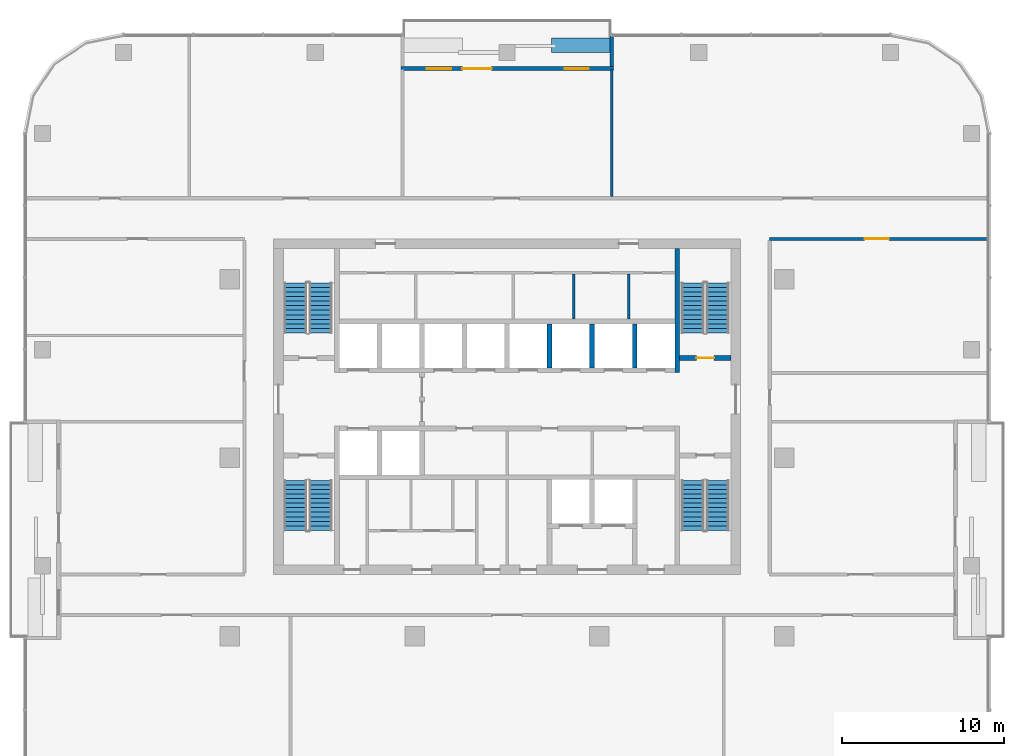
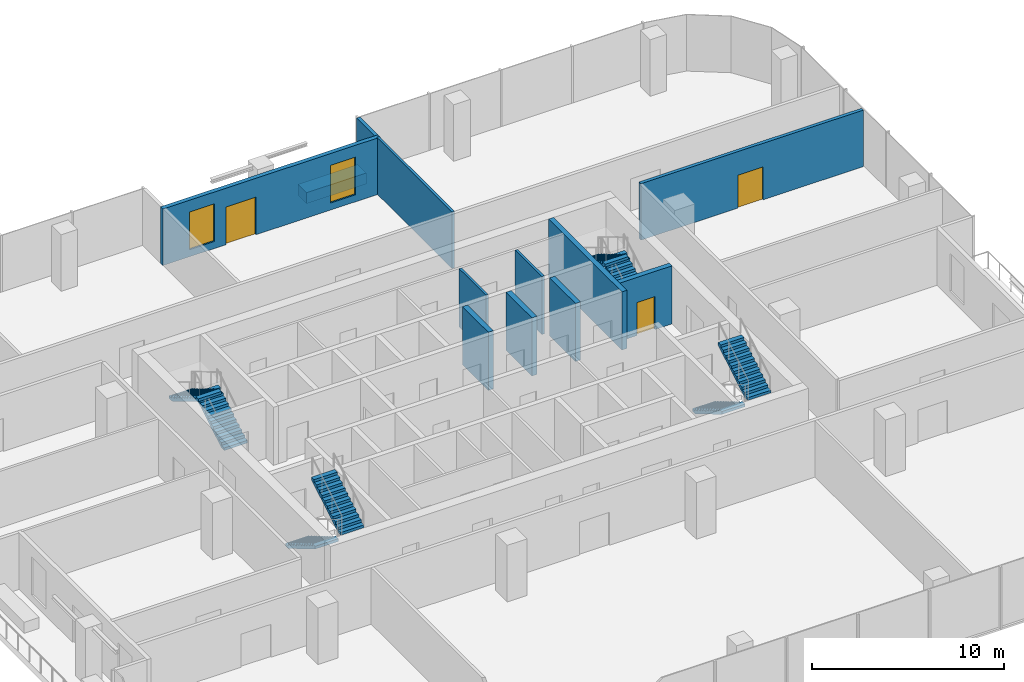
# One storey, part 10 of 13: 12 walls, 8 stair flights, 3 doors, 2 windows, 5 openings, 4 elements without a shape of their own.
"""IFC4 building model written with IfcOpenShell, lengths in metres."""

from ifc_helpers import new_model, si_unit, direction, frame, frame_2d, origin, place, context, subcontext, project, spatial, polyline, rectangle, outline, extrude, material, layer, layer_set, type_object, element, fill, aggregate, save


model = new_model("IFC4")

# Units and contexts
model_context = context("Model", 3, precision=1e-05, world=origin(), true_north=direction((0.0, 1.0)))
body_context = subcontext(model_context, "Body", "Model", "MODEL_VIEW")
ifc_project = project(units=[si_unit("LENGTHUNIT", "METRE"), si_unit("AREAUNIT", "SQUARE_METRE"), si_unit("VOLUMEUNIT", "CUBIC_METRE"), si_unit("PLANEANGLEUNIT", "RADIAN"), si_unit("MASSUNIT", "GRAM", prefix="KILO")], contexts=[model_context])

# Site, building, storey
site_placement = place(None, origin())
site = spatial("IfcSite", under=ifc_project, at=site_placement, CompositionType="ELEMENT")
building_placement = place(site_placement, origin())
building = spatial("IfcBuilding", under=site, at=building_placement, Name="Mopane Tessera Tower", CompositionType="ELEMENT")
storey_placement = place(building_placement, frame((0.0, 0.0, 271.39990234375)))
storey = spatial("IfcBuildingStorey", under=building, at=storey_placement, Name="L58", CompositionType="ELEMENT", Elevation=271.39990234375)

# Walls
ifc_material_1 = material(Name="Fire-rated gypsum board partition")
ifc_layer_1 = layer(ifc_material_1, 0.14990234375)
ifc_layer_set_1 = layer_set([ifc_layer_1], Name="Fire-rated gypsum board partition")
wall_type_1 = type_object("IfcWallType", Name="Core room partition 150 mm", PredefinedType="PARTITIONING", material=ifc_layer_set_1)
for number, where, z_axis, x_axis, name in (
    (1, (4.125, 8.550048828125, 0.0), (0.0, 0.0, 1.0), (0.0, 1.0, 0.0), "L58 Room partition"),
    (2, (7.5, 8.550048828125, 0.0), (0.0, 0.0, 1.0), (0.0, 1.0, 0.0), "L58 Room partition"),
):
    element("IfcWall", number, at=place(storey_placement, frame(where, z_axis=z_axis, x_axis=x_axis)), inside=storey, type_object=wall_type_1, Name=name, PredefinedType="PARTITIONING", context=body_context, shape_type="SweptSolid", body=[
        extrude(rectangle(XDim=2.77490234375, YDim=0.14990234375, at=frame_2d((1.387451171875, 0.0))), origin(), (0.0, 0.0, 1.0), 3.7001953125),
    ])
ifc_material_2 = material(Name="Concrete C60/75", Category="concrete")
ifc_layer_2 = layer(ifc_material_2, 0.300048828125)
ifc_layer_set_2 = layer_set([ifc_layer_2], Name="Concrete C60/75")
wall_type_2 = type_object("IfcWallType", Name="Core spine wall 300 mm", PredefinedType="SHEAR", material=ifc_layer_set_2)
wall_1_placement = place(storey_placement, frame((10.5, 5.25, 0.0), z_axis=(0.0, 0.0, 1.0), x_axis=(0.0, 1.0, 0.0)))
element("IfcWall", 3, at=wall_1_placement, inside=storey, type_object=wall_type_2, Name="L58 Core spine wall", PredefinedType="SHEAR", context=body_context, shape_type="SweptSolid", body=[
    extrude(rectangle(XDim=7.64990234375, YDim=0.300048828125, at=frame_2d((3.824951171875, 0.0))), origin(), (0.0, 0.0, 1.0), 3.7001953125),
])

# Wall, opening, door
ifc_material_3 = material(Name="Gypsum board on steel studs, two layers each face, mineral wool infill", Category="steel")
ifc_layer_3 = layer(ifc_material_3, 0.199951171875)
ifc_layer_set_3 = layer_set([ifc_layer_3], Name="Gypsum board on steel studs, two layers each face, mineral wool infill")
wall_type_3 = type_object("IfcWallType", Name="Gypsum board corridor wall 200, rated EI 60", PredefinedType="PARTITIONING", material=ifc_layer_set_3)
wall_2_placement = place(storey_placement, frame((16.199951171875, 13.5, 0.0), z_axis=(0.0, 0.0, 1.0), x_axis=(1.0, 0.0, 0.0)))
wall_2 = element("IfcWall", 4, at=wall_2_placement, inside=storey, type_object=wall_type_3, Name="Partition L58:008", PredefinedType="PARTITIONING", context=body_context, shape_type="SweptSolid", body=[
    extrude(rectangle(XDim=13.400146484375, YDim=0.199951171875, at=frame_2d((6.7001953125, 0.0))), origin(), (0.0, 0.0, 1.0), 3.60009765625),
])
opening_1_placement = place(wall_2_placement, frame((5.85009765625, 0.0, 0.0)))
opening_1 = element("IfcOpeningElement", 5, at=opening_1_placement, cuts=wall_2, Name="Opening L58-02", PredefinedType="OPENING", context=body_context, shape_type="SweptSolid", body=[
    extrude(rectangle(XDim=1.5, YDim=2.10009765625, at=frame_2d((0.75, 1.050048828125))), frame((0.0, 0.112060546875, 0.0), z_axis=(0.0, -1.0, 0.0), x_axis=(1.0, 0.0, 0.0)), (0.0, 0.0, 1.0), 0.223876953125),
])
ifc_material_4 = material(Name="Timber veneered steel-framed fire door", Category="steel")
door_type_1 = type_object("IfcDoorType", Name="Fire door pair FD60 1500 x 2100", OperationType="DOUBLE_DOOR_SINGLE_SWING", PredefinedType="DOOR", material=ifc_material_4)
door_1_placement = place(opening_1_placement, origin())
door_1 = element("IfcDoor", 6, at=door_1_placement, inside=storey, type_object=door_type_1, Name="Door L58-02", ObjectType="D17A", OperationType="DOUBLE_DOOR_SINGLE_SWING", OverallHeight=2.10009765625, OverallWidth=1.5, PredefinedType="DOOR", context=body_context, shape_type="SweptSolid", body=[
    extrude(rectangle(XDim=1.5, YDim=2.10009765625, at=frame_2d((0.75, 1.050048828125))), frame((0.0, 0.02490234375, 0.0), z_axis=(0.0, -1.0, 0.0), x_axis=(1.0, 0.0, 0.0)), (0.0, 0.0, 1.0), 0.050048828125),
])
fill(opening_1, door_1)

# Wall
ifc_material_5 = material(Name="Gypsum board on steel studs, mineral wool infill", Category="steel")
ifc_layer_4 = layer(ifc_material_5, 0.14990234375)
ifc_layer_set_4 = layer_set([ifc_layer_4], Name="Gypsum board on steel studs, mineral wool infill")
wall_type_4 = type_object("IfcWallType", Name="Gypsum board partition 150, rated EI 60", PredefinedType="PARTITIONING", material=ifc_layer_set_4)
wall_3_placement = place(storey_placement, frame((6.449951171875, 16.10009765625, 0.0), z_axis=(0.0, 0.0, 1.0), x_axis=(0.0, 1.0, 0.0)))
element("IfcWall", 7, at=wall_3_placement, inside=storey, type_object=wall_type_4, Name="Partition L58:014", PredefinedType="PARTITIONING", context=body_context, shape_type="SweptSolid", body=[
    extrude(rectangle(XDim=7.849853515625, YDim=0.14990234375, at=frame_2d((3.9248046875, 0.0))), origin(), (0.0, 0.0, 1.0), 3.60009765625),
])

# Wall, opening, door
ifc_material_6 = material(Name="Concrete C50/60", Category="concrete")
ifc_layer_5 = layer(ifc_material_6, 0.300048828125)
ifc_layer_set_5 = layer_set([ifc_layer_5], Name="Concrete C50/60")
wall_type_5 = type_object("IfcWallType", Name="Lift and stair shaft wall 300 mm", PredefinedType="SOLIDWALL", material=ifc_layer_set_5)
wall_4_placement = place(storey_placement, frame((10.64990234375, 6.14990234375, 0.0), z_axis=(0.0, 0.0, 1.0), x_axis=(1.0, 0.0, 0.0)))
wall_4 = element("IfcWall", 8, at=wall_4_placement, inside=storey, type_object=wall_type_5, Name="L58 Stair enclosure wall", PredefinedType="SOLIDWALL", context=body_context, shape_type="SweptSolid", body=[
    extrude(rectangle(XDim=3.150146484375, YDim=0.300048828125, at=frame_2d((1.5751953125, 0.0))), origin(), (0.0, 0.0, 1.0), 3.7001953125),
])
opening_2_placement = place(wall_4_placement, frame((1.02490234375, 0.0, 0.0)))
opening_2 = element("IfcOpeningElement", 9, at=opening_2_placement, cuts=wall_4, Name="Opening SD1", PredefinedType="OPENING", context=body_context, shape_type="SweptSolid", body=[
    extrude(rectangle(XDim=1.10009765625, YDim=2.10009765625, at=frame_2d((0.550048828125, 1.050048828125))), frame((0.0, 0.162109375, 0.0), z_axis=(0.0, -1.0, 0.0), x_axis=(1.0, 0.0, 0.0)), (0.0, 0.0, 1.0), 0.323974609375),
])
ifc_material_7 = material(Name="Steel fire door", Category="steel")
door_type_2 = type_object("IfcDoorType", Name="Stair fire door 1100 x 2100", OperationType="SINGLE_SWING_LEFT", PredefinedType="DOOR", material=ifc_material_7)
door_2_placement = place(opening_2_placement, origin())
door_2 = element("IfcDoor", 10, at=door_2_placement, inside=storey, type_object=door_type_2, Name="L58 Stair door ST4", OperationType="SINGLE_SWING_RIGHT", OverallHeight=2.10009765625, OverallWidth=1.10009765625, PredefinedType="DOOR", context=body_context, shape_type="SweptSolid", body=[
    extrude(rectangle(XDim=1.10009765625, YDim=2.10009765625, at=frame_2d((0.550048828125, 1.050048828125))), frame((0.0, 0.02490234375, 0.0), z_axis=(0.0, -1.0, 0.0), x_axis=(1.0, 0.0, 0.0)), (0.0, 0.0, 1.0), 0.050048828125),
])
fill(opening_2, door_2)

# Walls
for number, where, z_axis, x_axis, name in (
    (11, (2.625, 5.550048828125, 0.0), (0.0, 0.0, 1.0), (0.0, 1.0, 0.0), "L58 Lift shaft wall"),
    (12, (5.25, 5.550048828125, 0.0), (0.0, 0.0, 1.0), (0.0, 1.0, 0.0), "L58 Lift shaft wall"),
    (13, (7.875, 5.550048828125, 0.0), (0.0, 0.0, 1.0), (0.0, 1.0, 0.0), "L58 Lift shaft wall"),
):
    element("IfcWall", number, at=place(storey_placement, frame(where, z_axis=z_axis, x_axis=x_axis)), inside=storey, type_object=wall_type_5, Name=name, PredefinedType="SOLIDWALL", context=body_context, shape_type="SweptSolid", body=[
        extrude(rectangle(XDim=2.699951171875, YDim=0.300048828125, at=frame_2d((1.35009765625, 0.0))), origin(), (0.0, 0.0, 1.0), 3.7001953125),
    ])
ifc_material_8 = material(Name="Reinforced concrete C32/40 with waterproofing", Category="concrete")
ifc_layer_6 = layer(ifc_material_8, 0.89990234375)
ifc_layer_set_6 = layer_set([ifc_layer_6], Name="Reinforced concrete C32/40 with waterproofing")
wall_type_6 = type_object("IfcWallType", Name="Planter trough 3600 x 900", PredefinedType="STANDARD", material=ifc_layer_set_6)
wall_5_placement = place(storey_placement, frame((6.35009765625, 25.449951171875, 0.0), z_axis=(0.0, 0.0, 1.0), x_axis=(-1.0, 0.0, 0.0)))
element("IfcWall", 14, at=wall_5_placement, inside=storey, type_object=wall_type_6, Name="e:nw:L58:N2:pl0", PredefinedType="STANDARD", context=body_context, shape_type="SweptSolid", body=[
    extrude(rectangle(XDim=3.60009765625, YDim=0.89990234375, at=frame_2d((1.800048828125, 0.0))), origin(), (0.0, 0.0, 1.0), 0.7001953125),
])
ifc_material_9 = material(Name="Blockwork with glazed tile facing", Category="masonry")
ifc_layer_7 = layer(ifc_material_9, 0.199951171875)
ifc_layer_set_7 = layer_set([ifc_layer_7], Name="Blockwork with glazed tile facing")
wall_type_7 = type_object("IfcWallType", Name="Terrace cheek wall 200", PredefinedType="STANDARD", material=ifc_layer_set_7)
wall_6_placement = place(storey_placement, frame((6.449951171875, 26.0, 0.0), z_axis=(0.0, 0.0, 1.0), x_axis=(0.0, -1.0, 0.0)))
element("IfcWall", 15, at=wall_6_placement, inside=storey, type_object=wall_type_7, Name="e:nw:L58:N2:cheeka", PredefinedType="STANDARD", context=body_context, shape_type="SweptSolid", body=[
    extrude(rectangle(XDim=1.875, YDim=0.199951171875, at=frame_2d((0.9375, 0.0))), origin(), (0.0, 0.0, 1.0), 3.60009765625),
])

# Wall, openings, windows, door
ifc_material_10 = material(Name="Blockwork with turquoise glazed tile facing", Category="masonry")
ifc_layer_8 = layer(ifc_material_10, 0.25)
ifc_layer_set_8 = layer_set([ifc_layer_8], Name="Blockwork with turquoise glazed tile facing")
wall_type_8 = type_object("IfcWallType", Name="Tile-clad external wall 250, turquoise", PredefinedType="STANDARD", material=ifc_layer_set_8)
wall_7_placement = place(storey_placement, frame((6.550048828125, 24.0, 0.0), z_axis=(0.0, 0.0, 1.0), x_axis=(-1.0, 0.0, 0.0)))
wall_7 = element("IfcWall", 16, at=wall_7_placement, inside=storey, type_object=wall_type_8, Name="e:nw:L58:N2:back", PredefinedType="STANDARD", context=body_context, shape_type="SweptSolid", body=[
    extrude(rectangle(XDim=13.10009765625, YDim=0.25, at=frame_2d((6.550048828125, 0.0))), origin(), (0.0, 0.0, 1.0), 3.60009765625),
])
opening_3_placement = place(wall_7_placement, frame((1.5, 0.0, 0.449951171875)))
opening_3 = element("IfcOpeningElement", 17, at=opening_3_placement, cuts=wall_7, Name="Opening NW582A", PredefinedType="OPENING", context=body_context, shape_type="SweptSolid", body=[
    extrude(rectangle(XDim=1.5, YDim=2.39990234375, at=frame_2d((0.75, 1.199951171875))), frame((0.0, 0.136962890625, 0.0), z_axis=(0.0, -1.0, 0.0), x_axis=(1.0, 0.0, 0.0)), (0.0, 0.0, 1.0), 0.27392578125),
])
opening_4_placement = place(wall_7_placement, frame((7.5, 0.0, 0.0)))
opening_4 = element("IfcOpeningElement", 18, at=opening_4_placement, cuts=wall_7, Name="Opening ND582", PredefinedType="OPENING", context=body_context, shape_type="SweptSolid", body=[
    extrude(rectangle(XDim=1.800048828125, YDim=2.39990234375, at=frame_2d((0.89990234375, 1.199951171875))), frame((0.0, 0.136962890625, 0.0), z_axis=(0.0, -1.0, 0.0), x_axis=(1.0, 0.0, 0.0)), (0.0, 0.0, 1.0), 0.27392578125),
])
opening_5_placement = place(wall_7_placement, frame((10.0, 0.0, 0.449951171875)))
opening_5 = element("IfcOpeningElement", 19, at=opening_5_placement, cuts=wall_7, Name="Opening NW582B", PredefinedType="OPENING", context=body_context, shape_type="SweptSolid", body=[
    extrude(rectangle(XDim=1.5, YDim=2.39990234375, at=frame_2d((0.75, 1.199951171875))), frame((0.0, 0.136962890625, 0.0), z_axis=(0.0, -1.0, 0.0), x_axis=(1.0, 0.0, 0.0)), (0.0, 0.0, 1.0), 0.27392578125),
])
ifc_material_11 = material(Name="Clear laminated glass", Category="glass")
window_type = type_object("IfcWindowType", Name="Fixed window 1500 x 2400", PartitioningType="SINGLE_PANEL", PredefinedType="WINDOW", material=ifc_material_11)
window_1_placement = place(opening_3_placement, origin())
window_1 = element("IfcWindow", 20, at=window_1_placement, inside=storey, type_object=window_type, Name="e:nw:L58:N2:win0", OverallHeight=2.39990234375, OverallWidth=1.5, PartitioningType="SINGLE_PANEL", PredefinedType="WINDOW", context=body_context, shape_type="SweptSolid", body=[
    extrude(rectangle(XDim=1.5, YDim=2.39990234375, at=frame_2d((0.75, 1.199951171875))), frame((0.0, 0.030029296875, 0.0), z_axis=(0.0, -1.0, 0.0), x_axis=(1.0, 0.0, 0.0)), (0.0, 0.0, 1.0), 0.06005859375),
])
fill(opening_3, window_1)
window_2_placement = place(opening_5_placement, origin())
window_2 = element("IfcWindow", 21, at=window_2_placement, inside=storey, type_object=window_type, Name="e:nw:L58:N2:win2", OverallHeight=2.39990234375, OverallWidth=1.5, PartitioningType="SINGLE_PANEL", PredefinedType="WINDOW", context=body_context, shape_type="SweptSolid", body=[
    extrude(rectangle(XDim=1.5, YDim=2.39990234375, at=frame_2d((0.75, 1.199951171875))), frame((0.0, 0.030029296875, 0.0), z_axis=(0.0, -1.0, 0.0), x_axis=(1.0, 0.0, 0.0)), (0.0, 0.0, 1.0), 0.06005859375),
])
fill(opening_5, window_2)
ifc_material_12 = material(Name="Aluminium and clear glass", Category="aluminium")
door_type_3 = type_object("IfcDoorType", Name="Terrace double door 1800 x 2400", OperationType="DOUBLE_DOOR_SINGLE_SWING", PredefinedType="DOOR", material=ifc_material_12)
door_3_placement = place(opening_4_placement, origin())
door_3 = element("IfcDoor", 22, at=door_3_placement, inside=storey, type_object=door_type_3, Name="e:nw:L58:N2:door", ObjectType="D1", OperationType="DOUBLE_DOOR_SINGLE_SWING", OverallHeight=2.39990234375, OverallWidth=1.800048828125, PredefinedType="DOOR", context=body_context, shape_type="SweptSolid", body=[
    extrude(rectangle(XDim=1.800048828125, YDim=2.39990234375, at=frame_2d((0.89990234375, 1.199951171875))), frame((0.0, 0.02490234375, 0.0), z_axis=(0.0, -1.0, 0.0), x_axis=(1.0, 0.0, 0.0)), (0.0, 0.0, 1.0), 0.050048828125),
])
fill(opening_4, door_3)

# Stair, stair flights
ifc_material_13 = material(Name="Concrete C50/60", Category="concrete")
stair_type = type_object("IfcStairType", Name="Escape stair 1400 mm, riser 167 mm", PredefinedType="HALF_TURN_STAIR", material=ifc_material_13)
stair_1_placement = place(storey_placement, origin())
stair_1 = element("IfcStair", 23, at=stair_1_placement, inside=storey, type_object=stair_type, Name="L58 Escape stair south-west", PredefinedType="HALF_TURN_STAIR")
ifc_material_14 = material(Name="Concrete C50/60", Category="concrete")
stair_flight_type = type_object("IfcStairFlightType", Name="Escape stair flight 1400 mm", PredefinedType="STRAIGHT", material=ifc_material_14)
stair_flight_1_placement = place(storey_placement, frame((-13.050048828125, -1.39990234375, 0.0), z_axis=(0.0, 0.0, 1.0), x_axis=(0.0, -1.0, 0.0)))
stair_flight_1 = element("IfcStairFlight", 24, at=stair_flight_1_placement, type_object=stair_flight_type, Name="ST1 flight 1", NumberOfRisers=12, NumberOfTreads=11, PredefinedType="STRAIGHT", RiserHeight=0.166666667, TreadLength=0.28, context=body_context, shape_type="SweptSolid", body=[
    extrude(outline(polyline([(0.0, 0.0), (0.0, 0.166748046875), (0.280029296875, 0.166748046875), (0.280029296875, 0.333251953125), (0.56005859375, 0.333251953125), (0.56005859375, 0.5), (0.840087890625, 0.5), (0.840087890625, 0.666748046875), (1.1201171875, 0.666748046875), (1.1201171875, 0.833251953125), (1.39990234375, 0.833251953125), (1.39990234375, 1.0), (1.679931640625, 1.0), (1.679931640625, 1.166748046875), (1.9599609375, 1.166748046875), (1.9599609375, 1.333251953125), (2.239990234375, 1.333251953125), (2.239990234375, 1.5), (2.52001953125, 1.5), (2.52001953125, 1.666748046875), (2.800048828125, 1.666748046875), (2.800048828125, 1.833251953125), (3.080078125, 1.833251953125), (3.080078125, 2.0), (3.080078125, 1.658935546875), (0.29296875, 0.0), (0.0, 0.0)])), frame((0.0, 0.699951171875, 0.0), z_axis=(0.0, -1.0, 0.0), x_axis=(1.0, 0.0, 0.0)), (0.0, 0.0, 1.0), 1.39990234375),
])
stair_flight_2_placement = place(storey_placement, frame((-11.5, -4.47998046875, 2.0), z_axis=(0.0, 0.0, 1.0), x_axis=(0.0, 1.0, 0.0)))
stair_flight_2 = element("IfcStairFlight", 25, at=stair_flight_2_placement, type_object=stair_flight_type, Name="ST1 flight 2", NumberOfRisers=12, NumberOfTreads=11, PredefinedType="STRAIGHT", RiserHeight=0.166666667, TreadLength=0.28, context=body_context, shape_type="SweptSolid", body=[
    extrude(outline(polyline([(0.0, 0.0), (0.0, 0.166748046875), (0.280029296875, 0.166748046875), (0.280029296875, 0.333251953125), (0.56005859375, 0.333251953125), (0.56005859375, 0.5), (0.840087890625, 0.5), (0.840087890625, 0.666748046875), (1.1201171875, 0.666748046875), (1.1201171875, 0.833251953125), (1.39990234375, 0.833251953125), (1.39990234375, 1.0), (1.679931640625, 1.0), (1.679931640625, 1.166748046875), (1.9599609375, 1.166748046875), (1.9599609375, 1.333251953125), (2.239990234375, 1.333251953125), (2.239990234375, 1.5), (2.52001953125, 1.5), (2.52001953125, 1.666748046875), (2.800048828125, 1.666748046875), (2.800048828125, 1.833251953125), (3.080078125, 1.833251953125), (3.080078125, 2.0), (3.080078125, 1.658935546875), (0.29296875, 0.0), (0.0, 0.0)])), frame((0.0, 0.699951171875, 0.0), z_axis=(0.0, -1.0, 0.0), x_axis=(1.0, 0.0, 0.0)), (0.0, 0.0, 1.0), 1.39990234375),
])
aggregate(stair_1, [stair_flight_1, stair_flight_2])

stair_2_placement = place(storey_placement, origin())
stair_2 = element("IfcStair", 26, at=stair_2_placement, inside=storey, type_object=stair_type, Name="L58 Escape stair north-west", PredefinedType="HALF_TURN_STAIR")
stair_flight_3_placement = place(storey_placement, frame((-11.5, 7.699951171875, 0.0), z_axis=(0.0, 0.0, 1.0), x_axis=(0.0, 1.0, 0.0)))
stair_flight_3 = element("IfcStairFlight", 27, at=stair_flight_3_placement, type_object=stair_flight_type, Name="ST2 flight 1", NumberOfRisers=12, NumberOfTreads=11, PredefinedType="STRAIGHT", RiserHeight=0.166666667, TreadLength=0.28, context=body_context, shape_type="SweptSolid", body=[
    extrude(outline(polyline([(0.0, 0.0), (0.0, 0.166748046875), (0.280029296875, 0.166748046875), (0.280029296875, 0.333251953125), (0.56005859375, 0.333251953125), (0.56005859375, 0.5), (0.840087890625, 0.5), (0.840087890625, 0.666748046875), (1.1201171875, 0.666748046875), (1.1201171875, 0.833251953125), (1.39990234375, 0.833251953125), (1.39990234375, 1.0), (1.679931640625, 1.0), (1.679931640625, 1.166748046875), (1.9599609375, 1.166748046875), (1.9599609375, 1.333251953125), (2.239990234375, 1.333251953125), (2.239990234375, 1.5), (2.52001953125, 1.5), (2.52001953125, 1.666748046875), (2.800048828125, 1.666748046875), (2.800048828125, 1.833251953125), (3.080078125, 1.833251953125), (3.080078125, 2.0), (3.080078125, 1.658935546875), (0.29296875, 0.0), (0.0, 0.0)])), frame((0.0, 0.699951171875, 0.0), z_axis=(0.0, -1.0, 0.0), x_axis=(1.0, 0.0, 0.0)), (0.0, 0.0, 1.0), 1.39990234375),
])
stair_flight_4_placement = place(storey_placement, frame((-13.050048828125, 10.780029296875, 2.0), z_axis=(0.0, 0.0, 1.0), x_axis=(0.0, -1.0, 0.0)))
stair_flight_4 = element("IfcStairFlight", 28, at=stair_flight_4_placement, type_object=stair_flight_type, Name="ST2 flight 2", NumberOfRisers=12, NumberOfTreads=11, PredefinedType="STRAIGHT", RiserHeight=0.166666667, TreadLength=0.28, context=body_context, shape_type="SweptSolid", body=[
    extrude(outline(polyline([(0.0, 0.0), (0.0, 0.166748046875), (0.280029296875, 0.166748046875), (0.280029296875, 0.333251953125), (0.56005859375, 0.333251953125), (0.56005859375, 0.5), (0.840087890625, 0.5), (0.840087890625, 0.666748046875), (1.1201171875, 0.666748046875), (1.1201171875, 0.833251953125), (1.39990234375, 0.833251953125), (1.39990234375, 1.0), (1.679931640625, 1.0), (1.679931640625, 1.166748046875), (1.9599609375, 1.166748046875), (1.9599609375, 1.333251953125), (2.239990234375, 1.333251953125), (2.239990234375, 1.5), (2.52001953125, 1.5), (2.52001953125, 1.666748046875), (2.800048828125, 1.666748046875), (2.800048828125, 1.833251953125), (3.080078125, 1.833251953125), (3.080078125, 2.0), (3.080078125, 1.658935546875), (0.29296875, 0.0), (0.0, 0.0)])), frame((0.0, 0.699951171875, 0.0), z_axis=(0.0, -1.0, 0.0), x_axis=(1.0, 0.0, 0.0)), (0.0, 0.0, 1.0), 1.39990234375),
])
aggregate(stair_2, [stair_flight_3, stair_flight_4])

stair_3_placement = place(storey_placement, origin())
stair_3 = element("IfcStair", 29, at=stair_3_placement, inside=storey, type_object=stair_type, Name="L58 Escape stair south-east", PredefinedType="HALF_TURN_STAIR")
stair_flight_5_placement = place(storey_placement, frame((11.449951171875, -1.39990234375, 0.0), z_axis=(0.0, 0.0, 1.0), x_axis=(0.0, -1.0, 0.0)))
stair_flight_5 = element("IfcStairFlight", 30, at=stair_flight_5_placement, type_object=stair_flight_type, Name="ST3 flight 1", NumberOfRisers=12, NumberOfTreads=11, PredefinedType="STRAIGHT", RiserHeight=0.166666667, TreadLength=0.28, context=body_context, shape_type="SweptSolid", body=[
    extrude(outline(polyline([(0.0, 0.0), (0.0, 0.166748046875), (0.280029296875, 0.166748046875), (0.280029296875, 0.333251953125), (0.56005859375, 0.333251953125), (0.56005859375, 0.5), (0.840087890625, 0.5), (0.840087890625, 0.666748046875), (1.1201171875, 0.666748046875), (1.1201171875, 0.833251953125), (1.39990234375, 0.833251953125), (1.39990234375, 1.0), (1.679931640625, 1.0), (1.679931640625, 1.166748046875), (1.9599609375, 1.166748046875), (1.9599609375, 1.333251953125), (2.239990234375, 1.333251953125), (2.239990234375, 1.5), (2.52001953125, 1.5), (2.52001953125, 1.666748046875), (2.800048828125, 1.666748046875), (2.800048828125, 1.833251953125), (3.080078125, 1.833251953125), (3.080078125, 2.0), (3.080078125, 1.658935546875), (0.29296875, 0.0), (0.0, 0.0)])), frame((0.0, 0.699951171875, 0.0), z_axis=(0.0, -1.0, 0.0), x_axis=(1.0, 0.0, 0.0)), (0.0, 0.0, 1.0), 1.39990234375),
])
stair_flight_6_placement = place(storey_placement, frame((13.0, -4.47998046875, 2.0), z_axis=(0.0, 0.0, 1.0), x_axis=(0.0, 1.0, 0.0)))
stair_flight_6 = element("IfcStairFlight", 31, at=stair_flight_6_placement, type_object=stair_flight_type, Name="ST3 flight 2", NumberOfRisers=12, NumberOfTreads=11, PredefinedType="STRAIGHT", RiserHeight=0.166666667, TreadLength=0.28, context=body_context, shape_type="SweptSolid", body=[
    extrude(outline(polyline([(0.0, 0.0), (0.0, 0.166748046875), (0.280029296875, 0.166748046875), (0.280029296875, 0.333251953125), (0.56005859375, 0.333251953125), (0.56005859375, 0.5), (0.840087890625, 0.5), (0.840087890625, 0.666748046875), (1.1201171875, 0.666748046875), (1.1201171875, 0.833251953125), (1.39990234375, 0.833251953125), (1.39990234375, 1.0), (1.679931640625, 1.0), (1.679931640625, 1.166748046875), (1.9599609375, 1.166748046875), (1.9599609375, 1.333251953125), (2.239990234375, 1.333251953125), (2.239990234375, 1.5), (2.52001953125, 1.5), (2.52001953125, 1.666748046875), (2.800048828125, 1.666748046875), (2.800048828125, 1.833251953125), (3.080078125, 1.833251953125), (3.080078125, 2.0), (3.080078125, 1.658935546875), (0.29296875, 0.0), (0.0, 0.0)])), frame((0.0, 0.699951171875, 0.0), z_axis=(0.0, -1.0, 0.0), x_axis=(1.0, 0.0, 0.0)), (0.0, 0.0, 1.0), 1.39990234375),
])
aggregate(stair_3, [stair_flight_5, stair_flight_6])

stair_4_placement = place(storey_placement, origin())
stair_4 = element("IfcStair", 32, at=stair_4_placement, inside=storey, type_object=stair_type, Name="L58 Escape stair north-east", PredefinedType="HALF_TURN_STAIR")
stair_flight_7_placement = place(storey_placement, frame((13.0, 7.699951171875, 0.0), z_axis=(0.0, 0.0, 1.0), x_axis=(0.0, 1.0, 0.0)))
stair_flight_7 = element("IfcStairFlight", 33, at=stair_flight_7_placement, type_object=stair_flight_type, Name="ST4 flight 1", NumberOfRisers=12, NumberOfTreads=11, PredefinedType="STRAIGHT", RiserHeight=0.166666667, TreadLength=0.28, context=body_context, shape_type="SweptSolid", body=[
    extrude(outline(polyline([(0.0, 0.0), (0.0, 0.166748046875), (0.280029296875, 0.166748046875), (0.280029296875, 0.333251953125), (0.56005859375, 0.333251953125), (0.56005859375, 0.5), (0.840087890625, 0.5), (0.840087890625, 0.666748046875), (1.1201171875, 0.666748046875), (1.1201171875, 0.833251953125), (1.39990234375, 0.833251953125), (1.39990234375, 1.0), (1.679931640625, 1.0), (1.679931640625, 1.166748046875), (1.9599609375, 1.166748046875), (1.9599609375, 1.333251953125), (2.239990234375, 1.333251953125), (2.239990234375, 1.5), (2.52001953125, 1.5), (2.52001953125, 1.666748046875), (2.800048828125, 1.666748046875), (2.800048828125, 1.833251953125), (3.080078125, 1.833251953125), (3.080078125, 2.0), (3.080078125, 1.658935546875), (0.29296875, 0.0), (0.0, 0.0)])), frame((0.0, 0.699951171875, 0.0), z_axis=(0.0, -1.0, 0.0), x_axis=(1.0, 0.0, 0.0)), (0.0, 0.0, 1.0), 1.39990234375),
])
stair_flight_8_placement = place(storey_placement, frame((11.449951171875, 10.780029296875, 2.0), z_axis=(0.0, 0.0, 1.0), x_axis=(0.0, -1.0, 0.0)))
stair_flight_8 = element("IfcStairFlight", 34, at=stair_flight_8_placement, type_object=stair_flight_type, Name="ST4 flight 2", NumberOfRisers=12, NumberOfTreads=11, PredefinedType="STRAIGHT", RiserHeight=0.166666667, TreadLength=0.28, context=body_context, shape_type="SweptSolid", body=[
    extrude(outline(polyline([(0.0, 0.0), (0.0, 0.166748046875), (0.280029296875, 0.166748046875), (0.280029296875, 0.333251953125), (0.56005859375, 0.333251953125), (0.56005859375, 0.5), (0.840087890625, 0.5), (0.840087890625, 0.666748046875), (1.1201171875, 0.666748046875), (1.1201171875, 0.833251953125), (1.39990234375, 0.833251953125), (1.39990234375, 1.0), (1.679931640625, 1.0), (1.679931640625, 1.166748046875), (1.9599609375, 1.166748046875), (1.9599609375, 1.333251953125), (2.239990234375, 1.333251953125), (2.239990234375, 1.5), (2.52001953125, 1.5), (2.52001953125, 1.666748046875), (2.800048828125, 1.666748046875), (2.800048828125, 1.833251953125), (3.080078125, 1.833251953125), (3.080078125, 2.0), (3.080078125, 1.658935546875), (0.29296875, 0.0), (0.0, 0.0)])), frame((0.0, 0.699951171875, 0.0), z_axis=(0.0, -1.0, 0.0), x_axis=(1.0, 0.0, 0.0)), (0.0, 0.0, 1.0), 1.39990234375),
])
aggregate(stair_4, [stair_flight_7, stair_flight_8])

save(model, "model.ifc")
